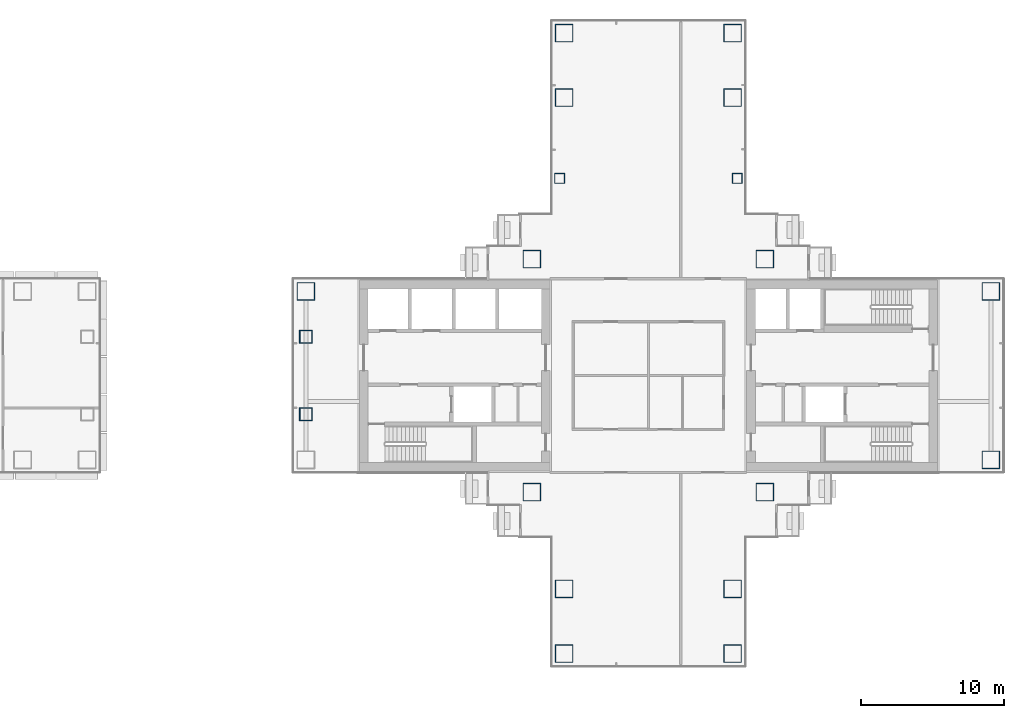
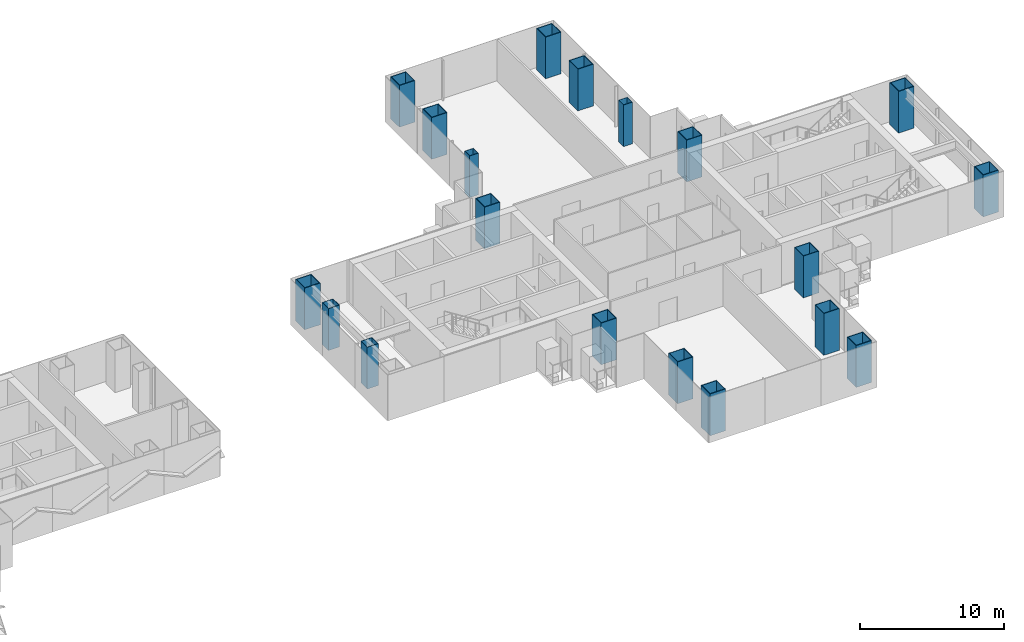
# One storey, part 2 of 19: 19 columns.
"""IFC4 building model written with IfcOpenShell, lengths in metres."""

from ifc_helpers import new_model, si_unit, direction, frame, origin, origin_2d, place, context, subcontext, project, spatial, hollow_rectangle, extrude, material, material_profile, profile_set, type_object, element, save


model = new_model("IFC4")

# Units and contexts
model_context = context("Model", 3, precision=1e-05, world=origin(), true_north=direction((0.0, 1.0)))
body_context = subcontext(model_context, "Body", "Model", "MODEL_VIEW")
ifc_project = project(units=[si_unit("LENGTHUNIT", "METRE"), si_unit("AREAUNIT", "SQUARE_METRE"), si_unit("VOLUMEUNIT", "CUBIC_METRE"), si_unit("PLANEANGLEUNIT", "RADIAN"), si_unit("MASSUNIT", "GRAM", prefix="KILO")], contexts=[model_context])

# Site, building, storey
site_placement = place(None, origin())
site = spatial("IfcSite", under=ifc_project, at=site_placement, CompositionType="ELEMENT")
building_placement = place(site_placement, origin())
building = spatial("IfcBuilding", under=site, at=building_placement, Name="Shamsa Quay Exchange Towers", CompositionType="ELEMENT")
storey_placement = place(building_placement, frame((0.0, 0.0, 97.5)))
storey = spatial("IfcBuildingStorey", under=building, at=storey_placement, Name="L22", CompositionType="ELEMENT", Elevation=97.5)

# Columns
ifc_material_1 = material(Name="Concrete-filled steel tube S355 / C80/95", Category="concrete")
ifc_material_profile_1 = material_profile(ifc_material_1, hollow_rectangle(XDim=1.25, YDim=1.25, WallThickness=0.050048828125, at=origin_2d()), Name="CFT 1250x1250x50")
ifc_profile_set_1 = profile_set([ifc_material_profile_1], Name="Concrete-filled steel tube S355 / C80/95")
column_type_1 = type_object("IfcColumnType", Name="Column CFT 1250x1250x50", PredefinedType="COLUMN", material=ifc_profile_set_1)
for number, where, name in (
    (1, (25.625, 8.125, 0.0), "Mega column T2-CM01"),
    (2, (41.875, 8.125, 0.0), "Mega column T2-CM02"),
    (3, (25.625, -8.125, 0.0), "Mega column T2-CM03"),
    (4, (41.875, -8.125, 0.0), "Mega column T2-CM04"),
    (5, (39.625, 19.375, 0.0), "Mega column T2-CM06"),
    (6, (39.625, 23.875, 0.0), "Mega column T2-CM07"),
    (7, (27.875, 19.375, 0.0), "Mega column T2-CM10"),
    (8, (27.875, 23.875, 0.0), "Mega column T2-CM11"),
    (9, (39.625, -14.875, 0.0), "Mega column T2-CM13"),
    (10, (39.625, -19.375, 0.0), "Mega column T2-CM14"),
    (11, (27.875, -14.875, 0.0), "Mega column T2-CM16"),
    (12, (27.875, -19.375, 0.0), "Mega column T2-CM17"),
    (13, (9.875, 5.875, 0.0), "Mega column T2-CM20"),
    (14, (57.625, -5.875, 0.0), "Mega column T2-CM21"),
    (15, (57.625, 5.875, 0.0), "Mega column T2-CM23"),
):
    element("IfcColumn", number, at=place(storey_placement, frame(where)), inside=storey, type_object=column_type_1, Name=name, PredefinedType="COLUMN", context=body_context, shape_type="SweptSolid", body=[
        extrude(hollow_rectangle(XDim=1.25, YDim=1.25, WallThickness=0.050048828125, at=origin_2d()), origin(), (0.0, 0.0, 1.0), 3.550048828125),
    ])
ifc_material_2 = material(Name="Concrete-filled steel tube S355 / C60/75", Category="concrete")
ifc_material_profile_2 = material_profile(ifc_material_2, hollow_rectangle(XDim=0.699951171875, YDim=0.699951171875, WallThickness=0.02490234375, at=origin_2d()), Name="CFT 700x700x25")
ifc_profile_set_2 = profile_set([ifc_material_profile_2], Name="Concrete-filled steel tube S355 / C60/75")
column_type_2 = type_object("IfcColumnType", Name="Column CFT 700x700x25", PredefinedType="COLUMN", material=ifc_profile_set_2)
for number, where, name in (
    (16, (39.9375, 13.75, 0.0), "Perimeter column T2-CP05"),
    (17, (27.5625, 13.75, 0.0), "Perimeter column T2-CP09"),
):
    element("IfcColumn", number, at=place(storey_placement, frame(where)), inside=storey, type_object=column_type_2, Name=name, PredefinedType="COLUMN", context=body_context, shape_type="SweptSolid", body=[
        extrude(hollow_rectangle(XDim=0.699951171875, YDim=0.699951171875, WallThickness=0.02490234375, at=origin_2d()), origin(), (0.0, 0.0, 1.0), 3.550048828125),
    ])
ifc_material_3 = material(Name="Concrete-filled steel tube S355 / C70/85", Category="concrete")
ifc_material_profile_3 = material_profile(ifc_material_3, hollow_rectangle(XDim=0.89990234375, YDim=0.89990234375, WallThickness=0.035888671875, at=origin_2d()), Name="CFT 900x900x36")
ifc_profile_set_3 = profile_set([ifc_material_profile_3], Name="Concrete-filled steel tube S355 / C70/85")
column_type_3 = type_object("IfcColumnType", Name="Landing column CFT 900x900x36", PredefinedType="COLUMN", material=ifc_profile_set_3)
for number, where, name in (
    (18, (9.875, -2.699951171875, 0.0), "Landing column T2 S"),
    (19, (9.875, 2.699951171875, 0.0), "Landing column T2 N"),
):
    element("IfcColumn", number, at=place(storey_placement, frame(where)), inside=storey, type_object=column_type_3, Name=name, PredefinedType="COLUMN", context=body_context, shape_type="SweptSolid", body=[
        extrude(hollow_rectangle(XDim=0.89990234375, YDim=0.89990234375, WallThickness=0.035888671875, at=origin_2d()), origin(), (0.0, 0.0, 1.0), 3.550048828125),
    ])

save(model, "model.ifc")
